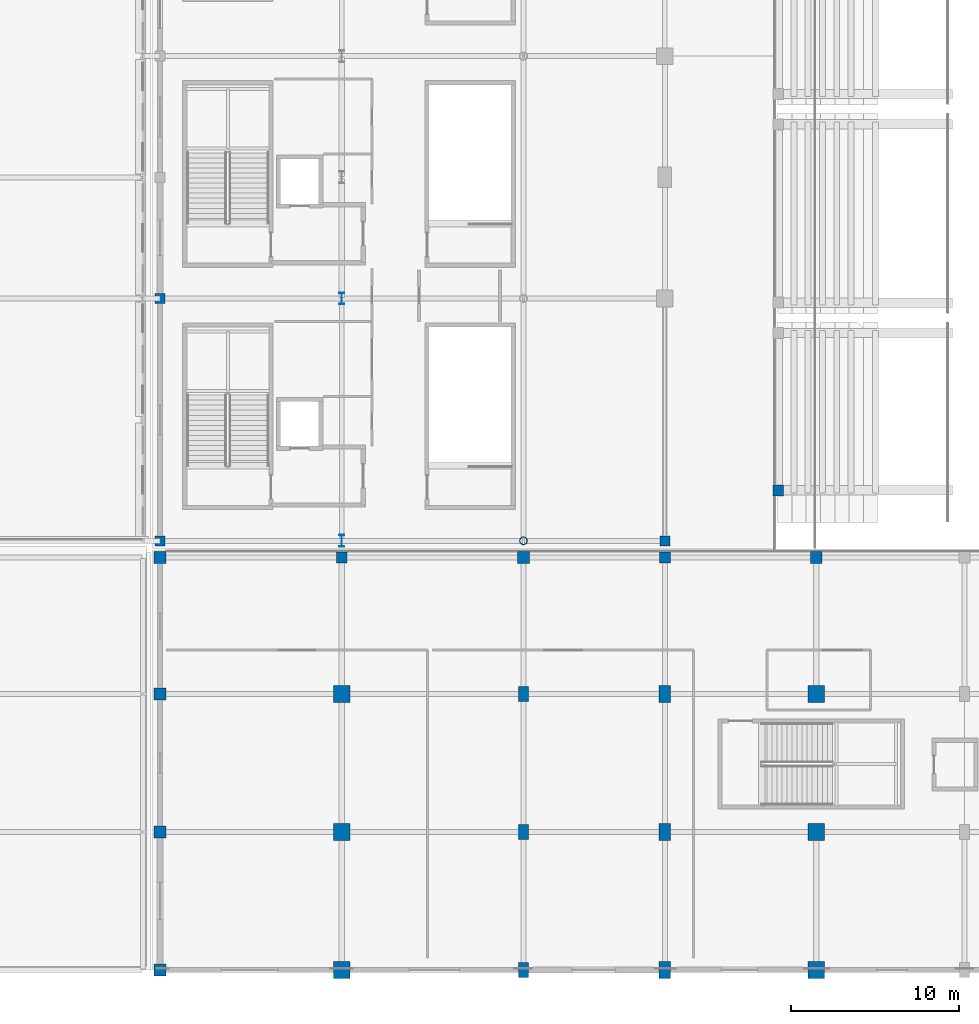
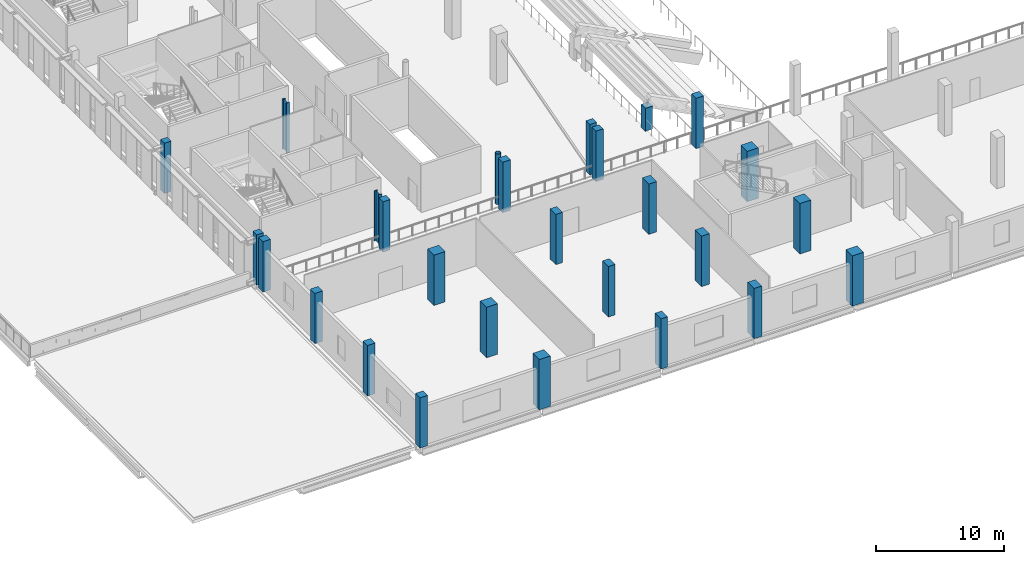
# One storey, part 1 of 74: 27 columns.
"""IFC4 building model written with IfcOpenShell, lengths in metres."""

from ifc_helpers import new_model, si_unit, direction, frame, origin, origin_2d, place, context, subcontext, project, spatial, rectangle, hollow_circle, i_section, extrude, material, material_profile, profile_set, type_object, element, save


model = new_model("IFC4")

# Units and contexts
model_context = context("Model", 3, precision=1e-05, world=origin(), true_north=direction((0.0, 1.0)))
body_context = subcontext(model_context, "Body", "Model", "MODEL_VIEW")
ifc_project = project(units=[si_unit("LENGTHUNIT", "METRE"), si_unit("AREAUNIT", "SQUARE_METRE"), si_unit("VOLUMEUNIT", "CUBIC_METRE"), si_unit("PLANEANGLEUNIT", "RADIAN"), si_unit("MASSUNIT", "GRAM", prefix="KILO")], contexts=[model_context])

# Site, building, storey
site_placement = place(None, origin())
site = spatial("IfcSite", under=ifc_project, at=site_placement, CompositionType="ELEMENT")
building_placement = place(site_placement, origin())
building = spatial("IfcBuilding", under=site, at=building_placement, Name="Koshinbarg Plaza Stadium", CompositionType="ELEMENT")
storey_placement = place(building_placement, frame((0.0, 0.0, 15.0)))
storey = spatial("IfcBuildingStorey", under=building, at=storey_placement, Name="L03", CompositionType="ELEMENT", Elevation=15.0)

# Columns
ifc_material_1 = material(Name="Concrete C40/50", Category="concrete")
ifc_material_profile_1 = material_profile(ifc_material_1, rectangle(XDim=0.60009765625, YDim=0.60009765625, at=origin_2d()), Name="RC 600x600")
ifc_profile_set_1 = profile_set([ifc_material_profile_1], Name="Concrete C40/50")
column_type_1 = type_object("IfcColumnType", Name="COL-RC-04", PredefinedType="COLUMN", material=ifc_profile_set_1)
for number, where, z_axis, x_axis, name in (
    (1, (24.60009765625, 25.5, 0.0), (0.0, 0.0, 1.0), (1.0, 0.0, 0.0), "L03 column 5/E"),
    (2, (24.60009765625, 39.89990234375, 0.0), (0.0, 0.0, 1.0), (1.0, 0.0, 0.0), "L03 column 5/F"),
    (3, (54.60009765625, 25.5, 0.0), (0.0, 0.0, 1.0), (1.0, 0.0, 0.0), "L03 column 8/E"),
):
    element("IfcColumn", number, at=place(storey_placement, frame(where, z_axis=z_axis, x_axis=x_axis)), inside=storey, type_object=column_type_1, Name=name, PredefinedType="COLUMN", context=body_context, shape_type="SweptSolid", body=[
        extrude(rectangle(XDim=0.60009765625, YDim=0.60009765625, at=origin_2d()), origin(), (0.0, 0.0, 1.0), 4.800048828125),
    ])
ifc_material_profile_2 = material_profile(ifc_material_1, rectangle(XDim=0.64990234375, YDim=0.64990234375, at=origin_2d()), Name="RC 650x650")
ifc_profile_set_2 = profile_set([ifc_material_profile_2], Name="Concrete C40/50")
column_type_2 = type_object("IfcColumnType", Name="COL-RC-05", PredefinedType="COLUMN", material=ifc_profile_set_2)
for number, where, z_axis, x_axis, name in (
    (4, (35.39990234375, 24.5, 0.0), (0.0, 0.0, 1.0), (1.0, 0.0, 0.0), "L03 column 6/D"),
    (5, (54.60009765625, 24.5, 0.0), (0.0, 0.0, 1.0), (1.0, 0.0, 0.0), "L03 column 8/D"),
):
    element("IfcColumn", number, at=place(storey_placement, frame(where, z_axis=z_axis, x_axis=x_axis)), inside=storey, type_object=column_type_2, Name=name, PredefinedType="COLUMN", context=body_context, shape_type="SweptSolid", body=[
        extrude(rectangle(XDim=0.64990234375, YDim=0.64990234375, at=origin_2d()), origin(), (0.0, 0.0, 1.0), 4.800048828125),
    ])
column_1_placement = place(storey_placement, frame((61.340087890625, 28.5, 0.0), z_axis=(0.0, 0.0, 1.0), x_axis=(1.0, 0.0, 0.0)))
element("IfcColumn", 6, at=column_1_placement, inside=storey, type_object=column_type_2, Name="L03 bowl raker column UT-W01-L-CB", PredefinedType="COLUMN", context=body_context, shape_type="SweptSolid", body=[
    extrude(rectangle(XDim=0.64990234375, YDim=0.64990234375, at=origin_2d()), origin(), (0.0, 0.0, 1.0), 2.18798828125),
])
ifc_material_profile_3 = material_profile(ifc_material_1, rectangle(XDim=0.699951171875, YDim=0.699951171875, at=origin_2d()), Name="RC 700x700")
ifc_profile_set_3 = profile_set([ifc_material_profile_3], Name="Concrete C40/50")
column_type_3 = type_object("IfcColumnType", Name="COL-RC-06", PredefinedType="COLUMN", material=ifc_profile_set_3)
for number, where, z_axis, x_axis, name in (
    (7, (24.60009765625, 0.0, 0.0), (0.0, 0.0, 1.0), (1.0, 0.0, 0.0), "L03 column 5/A"),
    (8, (24.60009765625, 8.199951171875, 0.0), (0.0, 0.0, 1.0), (1.0, 0.0, 0.0), "L03 column 5/B"),
    (9, (24.60009765625, 16.39990234375, 0.0), (0.0, 0.0, 1.0), (1.0, 0.0, 0.0), "L03 column 5/C"),
    (10, (24.60009765625, 24.5, 0.0), (0.0, 0.0, 1.0), (1.0, 0.0, 0.0), "L03 column 5/D"),
    (11, (46.199951171875, 24.5, 0.0), (0.0, 0.0, 1.0), (1.0, 0.0, 0.0), "L03 column 7/D"),
    (12, (63.60009765625, 24.5, 0.0), (0.0, 0.0, 1.0), (1.0, 0.0, 0.0), "L03 column 9/D"),
):
    element("IfcColumn", number, at=place(storey_placement, frame(where, z_axis=z_axis, x_axis=x_axis)), inside=storey, type_object=column_type_3, Name=name, PredefinedType="COLUMN", context=body_context, shape_type="SweptSolid", body=[
        extrude(rectangle(XDim=0.699951171875, YDim=0.699951171875, at=origin_2d()), origin(), (0.0, 0.0, 1.0), 4.800048828125),
    ])
ifc_material_profile_4 = material_profile(ifc_material_1, rectangle(XDim=1.0, YDim=1.0, at=origin_2d()), Name="RC 1000x1000")
ifc_profile_set_4 = profile_set([ifc_material_profile_4], Name="Concrete C40/50")
column_type_4 = type_object("IfcColumnType", Name="COL-RC-11", PredefinedType="COLUMN", material=ifc_profile_set_4)
for number, where, z_axis, x_axis, name in (
    (13, (35.39990234375, 0.0, 0.0), (0.0, 0.0, 1.0), (1.0, 0.0, 0.0), "L03 column 6/A"),
    (14, (35.39990234375, 8.199951171875, 0.0), (0.0, 0.0, 1.0), (1.0, 0.0, 0.0), "L03 column 6/B"),
    (15, (35.39990234375, 16.39990234375, 0.0), (0.0, 0.0, 1.0), (1.0, 0.0, 0.0), "L03 column 6/C"),
    (16, (63.60009765625, 0.0, 0.0), (0.0, 0.0, 1.0), (1.0, 0.0, 0.0), "L03 column 9/A"),
    (17, (63.60009765625, 8.199951171875, 0.0), (0.0, 0.0, 1.0), (1.0, 0.0, 0.0), "L03 column 9/B"),
    (18, (63.60009765625, 16.39990234375, 0.0), (0.0, 0.0, 1.0), (1.0, 0.0, 0.0), "L03 column 9/C"),
):
    element("IfcColumn", number, at=place(storey_placement, frame(where, z_axis=z_axis, x_axis=x_axis)), inside=storey, type_object=column_type_4, Name=name, PredefinedType="COLUMN", context=body_context, shape_type="SweptSolid", body=[
        extrude(rectangle(XDim=1.0, YDim=1.0, at=origin_2d()), origin(), (0.0, 0.0, 1.0), 4.800048828125),
    ])
ifc_material_profile_5 = material_profile(ifc_material_1, rectangle(XDim=0.60009765625, YDim=0.89990234375, at=origin_2d()), Name="RC 600x900")
ifc_profile_set_5 = profile_set([ifc_material_profile_5], Name="Concrete C40/50")
column_type_5 = type_object("IfcColumnType", Name="COL-RC-12", PredefinedType="COLUMN", material=ifc_profile_set_5)
for number, where, z_axis, x_axis, name in (
    (19, (46.199951171875, 0.0, 0.0), (0.0, 0.0, 1.0), (1.0, 0.0, 0.0), "L03 column 7/A"),
    (20, (46.199951171875, 8.199951171875, 0.0), (0.0, 0.0, 1.0), (1.0, 0.0, 0.0), "L03 column 7/B"),
    (21, (46.199951171875, 16.39990234375, 0.0), (0.0, 0.0, 1.0), (1.0, 0.0, 0.0), "L03 column 7/C"),
):
    element("IfcColumn", number, at=place(storey_placement, frame(where, z_axis=z_axis, x_axis=x_axis)), inside=storey, type_object=column_type_5, Name=name, PredefinedType="COLUMN", context=body_context, shape_type="SweptSolid", body=[
        extrude(rectangle(XDim=0.60009765625, YDim=0.89990234375, at=origin_2d()), origin(), (0.0, 0.0, 1.0), 4.800048828125),
    ])
ifc_material_profile_6 = material_profile(ifc_material_1, rectangle(XDim=0.699951171875, YDim=1.0, at=origin_2d()), Name="RC 700x1000")
ifc_profile_set_6 = profile_set([ifc_material_profile_6], Name="Concrete C40/50")
column_type_6 = type_object("IfcColumnType", Name="COL-RC-13", PredefinedType="COLUMN", material=ifc_profile_set_6)
for number, where, z_axis, x_axis, name in (
    (22, (54.60009765625, 0.0, 0.0), (0.0, 0.0, 1.0), (1.0, 0.0, 0.0), "L03 column 8/A"),
    (23, (54.60009765625, 8.199951171875, 0.0), (0.0, 0.0, 1.0), (1.0, 0.0, 0.0), "L03 column 8/B"),
    (24, (54.60009765625, 16.39990234375, 0.0), (0.0, 0.0, 1.0), (1.0, 0.0, 0.0), "L03 column 8/C"),
):
    element("IfcColumn", number, at=place(storey_placement, frame(where, z_axis=z_axis, x_axis=x_axis)), inside=storey, type_object=column_type_6, Name=name, PredefinedType="COLUMN", context=body_context, shape_type="SweptSolid", body=[
        extrude(rectangle(XDim=0.699951171875, YDim=1.0, at=origin_2d()), origin(), (0.0, 0.0, 1.0), 4.800048828125),
    ])
ifc_material_2 = material(Name="Steel S355", Category="steel")
ifc_material_profile_7 = material_profile(ifc_material_2, i_section(OverallWidth=0.300048828125, OverallDepth=0.699951171875, WebThickness=0.01708984375, FlangeThickness=0.031982421875, at=origin_2d()), Name="HEB 700")
ifc_profile_set_7 = profile_set([ifc_material_profile_7], Name="Steel S355")
column_type_7 = type_object("IfcColumnType", Name="COL-STL-04", PredefinedType="COLUMN", material=ifc_profile_set_7)
for number, where, z_axis, x_axis, name in (
    (25, (35.39990234375, 25.5, 0.0), (0.0, 0.0, 1.0), (1.0, 0.0, 0.0), "L03 column 6/E"),
    (26, (35.39990234375, 39.89990234375, 0.0), (0.0, 0.0, 1.0), (1.0, 0.0, 0.0), "L03 column 6/F"),
):
    element("IfcColumn", number, at=place(storey_placement, frame(where, z_axis=z_axis, x_axis=x_axis)), inside=storey, type_object=column_type_7, Name=name, PredefinedType="COLUMN", context=body_context, shape_type="SweptSolid", body=[
        extrude(i_section(OverallWidth=0.300048828125, OverallDepth=0.699951171875, WebThickness=0.01708984375, FlangeThickness=0.031982421875, at=origin_2d()), origin(), (0.0, 0.0, 1.0), 4.800048828125),
    ])
ifc_material_profile_8 = material_profile(ifc_material_2, hollow_circle(Radius=0.228515625, WallThickness=0.02001953125, at=origin_2d()), Name="CHS 457x20")
ifc_profile_set_8 = profile_set([ifc_material_profile_8], Name="Steel S355")
column_type_8 = type_object("IfcColumnType", Name="COL-STL-05", PredefinedType="COLUMN", material=ifc_profile_set_8)
column_2_placement = place(storey_placement, frame((46.199951171875, 25.5, 0.0), z_axis=(0.0, 0.0, 1.0), x_axis=(1.0, 0.0, 0.0)))
element("IfcColumn", 27, at=column_2_placement, inside=storey, type_object=column_type_8, Name="L03 column 7/E", PredefinedType="COLUMN", context=body_context, shape_type="SweptSolid", body=[
    extrude(hollow_circle(Radius=0.228515625, WallThickness=0.02001953125, at=origin_2d()), origin(), (0.0, 0.0, 1.0), 4.800048828125),
])

save(model, "model.ifc")
